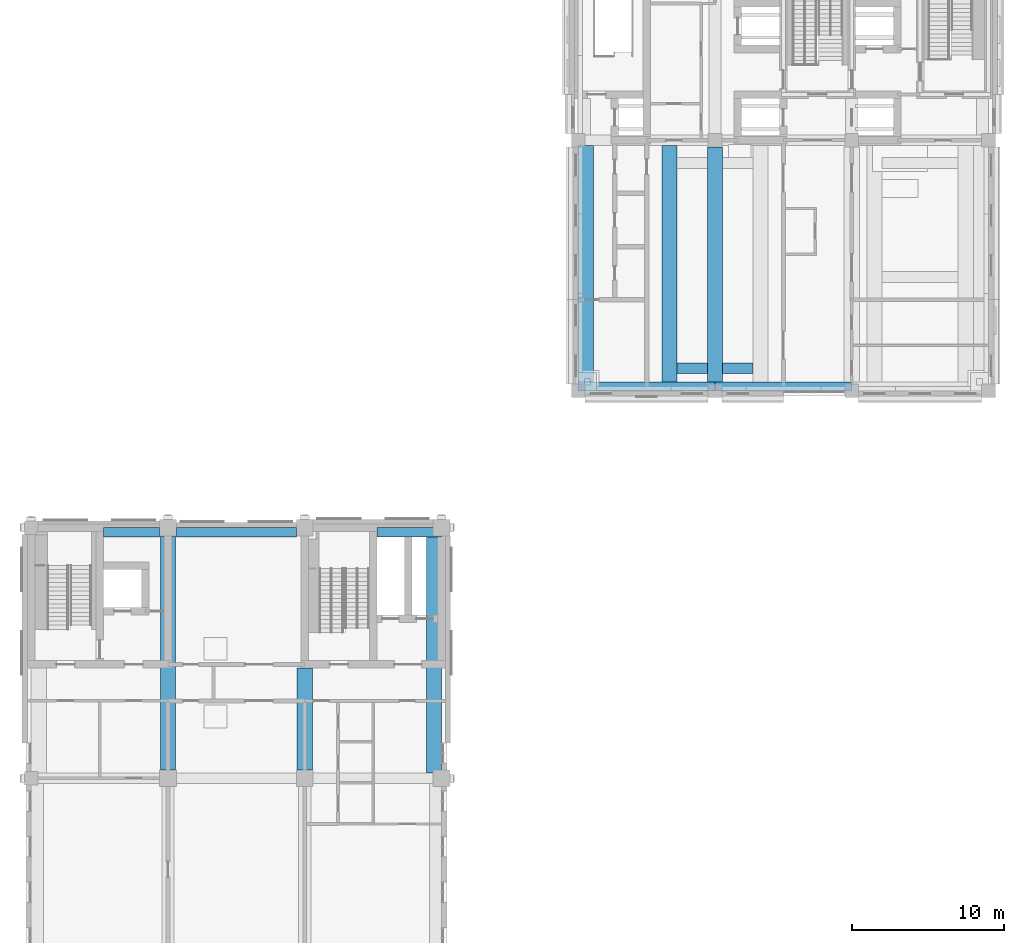
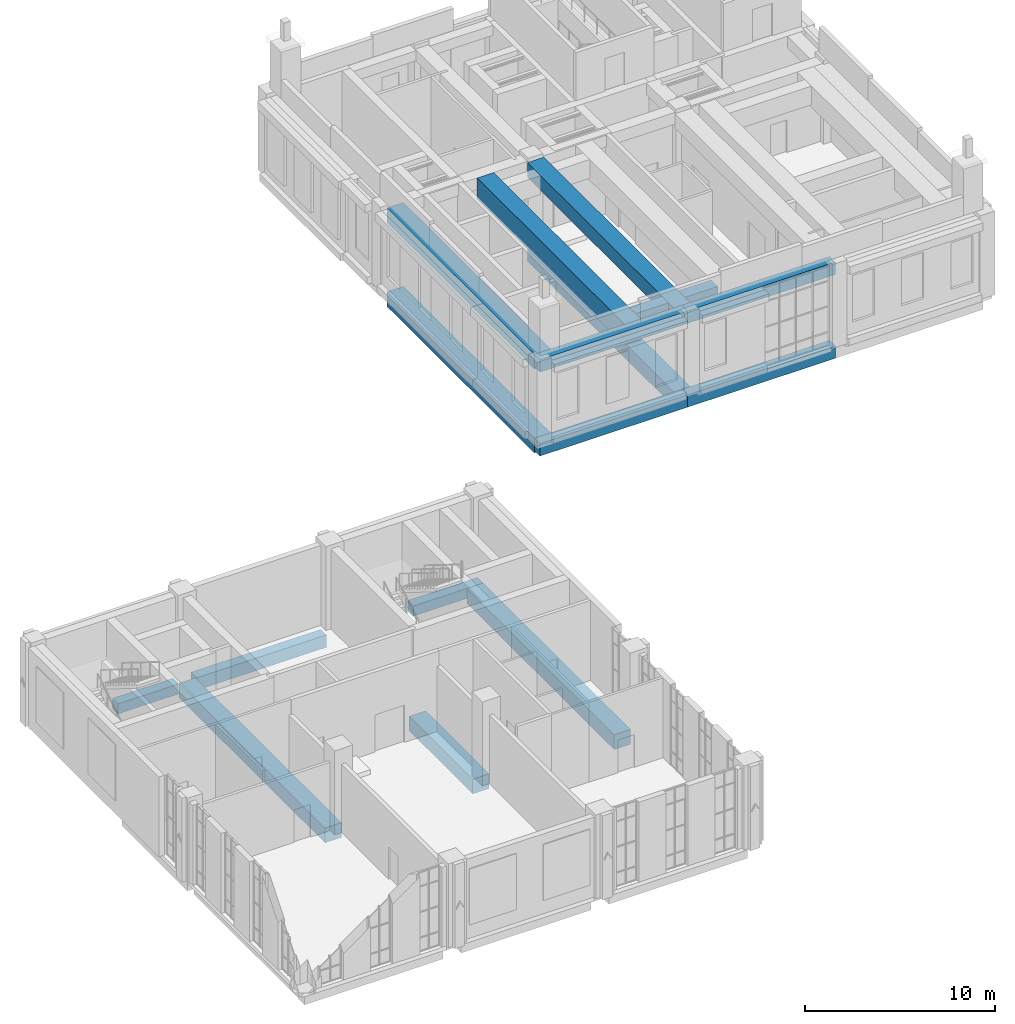
# One storey, part 3 of 22: 17 beams.
"""IFC4 building model written with IfcOpenShell, lengths in metres."""

from ifc_helpers import new_model, si_unit, direction, frame, origin, origin_2d, place, context, subcontext, project, spatial, rectangle, extrude, material, material_profile, profile_set, type_object, element, save


model = new_model("IFC4")

# Units and contexts
model_context = context("Model", 3, precision=1e-05, world=origin(), true_north=direction((0.0, 1.0)))
body_context = subcontext(model_context, "Body", "Model", "MODEL_VIEW")
ifc_project = project(units=[si_unit("LENGTHUNIT", "METRE"), si_unit("AREAUNIT", "SQUARE_METRE"), si_unit("VOLUMEUNIT", "CUBIC_METRE"), si_unit("PLANEANGLEUNIT", "RADIAN"), si_unit("MASSUNIT", "GRAM", prefix="KILO")], contexts=[model_context])

# Site, building, storey
site_placement = place(None, origin())
site = spatial("IfcSite", under=ifc_project, at=site_placement, CompositionType="ELEMENT")
building_placement = place(site_placement, origin())
building = spatial("IfcBuilding", under=site, at=building_placement, Name="Aurelan Courthouse", CompositionType="ELEMENT")
storey_placement = place(building_placement, frame((0.0, 0.0, 39.0)))
storey = spatial("IfcBuildingStorey", under=building, at=storey_placement, Name="L07", CompositionType="ELEMENT", Elevation=39.0)

# Beams
ifc_material_1 = material(Name="Concrete C50", Category="concrete")
ifc_material_profile_1 = material_profile(ifc_material_1, rectangle(XDim=1.0, YDim=0.949951171875, at=origin_2d()), Name="RC 1000 x 950")
ifc_profile_set_1 = profile_set([ifc_material_profile_1], Name="Concrete C50")
beam_type_1 = type_object("IfcBeamType", Name="PT girder 1000 x 950", PredefinedType="BEAM", material=ifc_profile_set_1)
beam_1_placement = place(storey_placement, frame((36.5, 38.10009765625, -0.72509765625), z_axis=(0.0, 1.0, 0.0), x_axis=(-1.0, 0.0, 0.0)))
element("IfcBeam", 1, at=beam_1_placement, inside=storey, type_object=beam_type_1, Name="Girder GB-5DE-E", PredefinedType="BEAM", context=body_context, shape_type="SweptSolid", body=[
    extrude(rectangle(XDim=1.0, YDim=0.949951171875, at=origin_2d()), origin(), (0.0, 0.0, 1.0), 15.5498046875),
])
beam_2_placement = place(storey_placement, frame((45.0, 38.10009765625, -0.72509765625), z_axis=(0.0, 1.0, 0.0), x_axis=(-1.0, 0.0, 0.0)))
element("IfcBeam", 2, at=beam_2_placement, inside=storey, type_object=beam_type_1, Name="Girder GB-6DE", PredefinedType="BEAM", context=body_context, shape_type="SweptSolid", body=[
    extrude(rectangle(XDim=1.0, YDim=0.949951171875, at=origin_2d()), origin(), (0.0, 0.0, 1.0), 15.449951171875),
])
beam_3_placement = place(storey_placement, frame((36.5, 38.10009765625, 4.675048828125), z_axis=(0.0, 1.0, 0.0), x_axis=(-1.0, 0.0, 0.0)))
element("IfcBeam", 3, at=beam_3_placement, inside=storey, type_object=beam_type_1, Name="Girder GB-5DEER", PredefinedType="BEAM", context=body_context, shape_type="SweptSolid", body=[
    extrude(rectangle(XDim=1.0, YDim=0.949951171875, at=origin_2d()), origin(), (0.0, 0.0, 1.0), 15.5498046875),
])
beam_4_placement = place(storey_placement, frame((45.0, 38.10009765625, 4.675048828125), z_axis=(0.0, 1.0, 0.0), x_axis=(-1.0, 0.0, 0.0)))
element("IfcBeam", 4, at=beam_4_placement, inside=storey, type_object=beam_type_1, Name="Girder GB-6DER", PredefinedType="BEAM", context=body_context, shape_type="SweptSolid", body=[
    extrude(rectangle(XDim=1.0, YDim=0.949951171875, at=origin_2d()), origin(), (0.0, 0.0, 1.0), 15.449951171875),
])
beam_5_placement = place(storey_placement, frame((9.0, 12.550048828125, -0.72509765625), z_axis=(0.0, 1.0, 0.0), x_axis=(-1.0, 0.0, 0.0)))
element("IfcBeam", 5, at=beam_5_placement, inside=storey, type_object=beam_type_1, Name="Girder GB-2BC", PredefinedType="BEAM", context=body_context, shape_type="SweptSolid", body=[
    extrude(rectangle(XDim=1.0, YDim=0.949951171875, at=origin_2d()), origin(), (0.0, 0.0, 1.0), 15.39990234375),
])
beam_6_placement = place(storey_placement, frame((18.0, 12.550048828125, -0.72509765625), z_axis=(0.0, 1.0, 0.0), x_axis=(-1.0, 0.0, 0.0)))
element("IfcBeam", 6, at=beam_6_placement, inside=storey, type_object=beam_type_1, Name="Girder GB-3BC", PredefinedType="BEAM", context=body_context, shape_type="SweptSolid", body=[
    extrude(rectangle(XDim=1.0, YDim=0.949951171875, at=origin_2d()), origin(), (0.0, 0.0, 1.0), 6.699951171875),
])
beam_7_placement = place(storey_placement, frame((26.5, 12.35009765625, -0.72509765625), z_axis=(0.0, 1.0, 0.0), x_axis=(-1.0, 0.0, 0.0)))
element("IfcBeam", 7, at=beam_7_placement, inside=storey, type_object=beam_type_1, Name="Girder GB-4BC-E", PredefinedType="BEAM", context=body_context, shape_type="SweptSolid", body=[
    extrude(rectangle(XDim=1.0, YDim=0.949951171875, at=origin_2d()), origin(), (0.0, 0.0, 1.0), 15.5498046875),
])
ifc_material_profile_2 = material_profile(ifc_material_1, rectangle(XDim=0.60009765625, YDim=0.64990234375, at=origin_2d()), Name="RC 600 x 650")
ifc_profile_set_2 = profile_set([ifc_material_profile_2], Name="Concrete C50")
beam_type_2 = type_object("IfcBeamType", Name="RC spandrel beam 600 x 650", PredefinedType="SPANDREL", material=ifc_profile_set_2)
beam_8_placement = place(storey_placement, frame((4.75, 28.199951171875, -0.574951171875), z_axis=(1.0, 0.0, 0.0), x_axis=(0.0, 1.0, 0.0)))
element("IfcBeam", 8, at=beam_8_placement, inside=storey, type_object=beam_type_2, Name="Spandrel beam SB-C-1-2", PredefinedType="SPANDREL", context=body_context, shape_type="SweptSolid", body=[
    extrude(rectangle(XDim=0.60009765625, YDim=0.64990234375, at=origin_2d()), origin(), (0.0, 0.0, 1.0), 3.699951171875),
])
beam_9_placement = place(storey_placement, frame((22.75, 28.199951171875, -0.574951171875), z_axis=(1.0, 0.0, 0.0), x_axis=(0.0, 1.0, 0.0)))
element("IfcBeam", 9, at=beam_9_placement, inside=storey, type_object=beam_type_2, Name="Spandrel beam SB-C-3-4", PredefinedType="SPANDREL", context=body_context, shape_type="SweptSolid", body=[
    extrude(rectangle(XDim=0.60009765625, YDim=0.64990234375, at=origin_2d()), origin(), (0.0, 0.0, 1.0), 4.25),
])
ifc_material_profile_3 = material_profile(ifc_material_1, rectangle(XDim=0.60009765625, YDim=0.800048828125, at=origin_2d()), Name="RC 600 x 800")
ifc_profile_set_3 = profile_set([ifc_material_profile_3], Name="Concrete C50")
beam_type_3 = type_object("IfcBeamType", Name="RC spandrel beam 600 x 800", PredefinedType="SPANDREL", material=ifc_profile_set_3)
for number, where, z_axis, x_axis, name in (
    (10, (36.0, 37.800048828125, -0.64990234375), (1.0, 0.0, 0.0), (0.0, 1.0, 0.0), "Spandrel beam SB-D-5-6"),
    (11, (45.0, 37.800048828125, -0.64990234375), (1.0, 0.0, 0.0), (0.0, 1.0, 0.0), "Spandrel beam SB-D-6-7"),
    (12, (36.0, 37.800048828125, 4.75), (1.0, 0.0, 0.0), (0.0, 1.0, 0.0), "Spandrel beam SB-D-5-6R"),
    (13, (45.0, 37.800048828125, 4.75), (1.0, 0.0, 0.0), (0.0, 1.0, 0.0), "Spandrel beam SB-D-6-7R"),
):
    element("IfcBeam", number, at=place(storey_placement, frame(where, z_axis=z_axis, x_axis=x_axis)), inside=storey, type_object=beam_type_3, Name=name, PredefinedType="SPANDREL", context=body_context, shape_type="SweptSolid", body=[
        extrude(rectangle(XDim=0.60009765625, YDim=0.800048828125, at=origin_2d()), origin(), (0.0, 0.0, 1.0), 9.0),
    ])
beam_10_placement = place(storey_placement, frame((9.550048828125, 28.199951171875, -0.64990234375), z_axis=(1.0, 0.0, 0.0), x_axis=(0.0, 1.0, 0.0)))
element("IfcBeam", 14, at=beam_10_placement, inside=storey, type_object=beam_type_3, Name="Spandrel beam SB-C-2-3", PredefinedType="SPANDREL", context=body_context, shape_type="SweptSolid", body=[
    extrude(rectangle(XDim=0.60009765625, YDim=0.800048828125, at=origin_2d()), origin(), (0.0, 0.0, 1.0), 7.89990234375),
])
ifc_material_2 = material(Name="Concrete C40", Category="concrete")
ifc_material_profile_4 = material_profile(ifc_material_2, rectangle(XDim=1.0, YDim=1.35009765625, at=origin_2d()), Name="RC 1000 x 1350")
ifc_profile_set_4 = profile_set([ifc_material_profile_4], Name="Concrete C40")
beam_type_4 = type_object("IfcBeamType", Name="RC trimmer beam 1000 x 1350", PredefinedType="JOIST", material=ifc_profile_set_4)
beam_11_placement = place(storey_placement, frame((42.0, 38.10009765625, 4.47509765625), z_axis=(0.0, 1.0, 0.0), x_axis=(-1.0, 0.0, 0.0)))
element("IfcBeam", 15, at=beam_11_placement, inside=storey, type_object=beam_type_4, Name="Trimmer beam TB-L07-001", PredefinedType="JOIST", context=body_context, shape_type="SweptSolid", body=[
    extrude(rectangle(XDim=1.0, YDim=1.35009765625, at=origin_2d()), origin(), (0.0, 0.0, 1.0), 15.5498046875),
])
ifc_material_profile_5 = material_profile(ifc_material_2, rectangle(XDim=0.699951171875, YDim=1.199951171875, at=origin_2d()), Name="RC 700 x 1200")
ifc_profile_set_5 = profile_set([ifc_material_profile_5], Name="Concrete C40")
beam_type_5 = type_object("IfcBeamType", Name="RC trimmer beam 700 x 1200", PredefinedType="JOIST", material=ifc_profile_set_5)
for number, where, z_axis, x_axis, name in (
    (16, (42.5, 39.0, 4.550048828125), (1.0, 0.0, 0.0), (0.0, 1.0, 0.0), "Trimmer beam TB-L07-005"),
    (17, (45.5, 39.0, 4.550048828125), (1.0, 0.0, 0.0), (0.0, 1.0, 0.0), "Trimmer beam TB-L07-006"),
):
    element("IfcBeam", number, at=place(storey_placement, frame(where, z_axis=z_axis, x_axis=x_axis)), inside=storey, type_object=beam_type_5, Name=name, PredefinedType="JOIST", context=body_context, shape_type="SweptSolid", body=[
        extrude(rectangle(XDim=0.699951171875, YDim=1.199951171875, at=origin_2d()), origin(), (0.0, 0.0, 1.0), 2.0),
    ])

save(model, "model.ifc")
